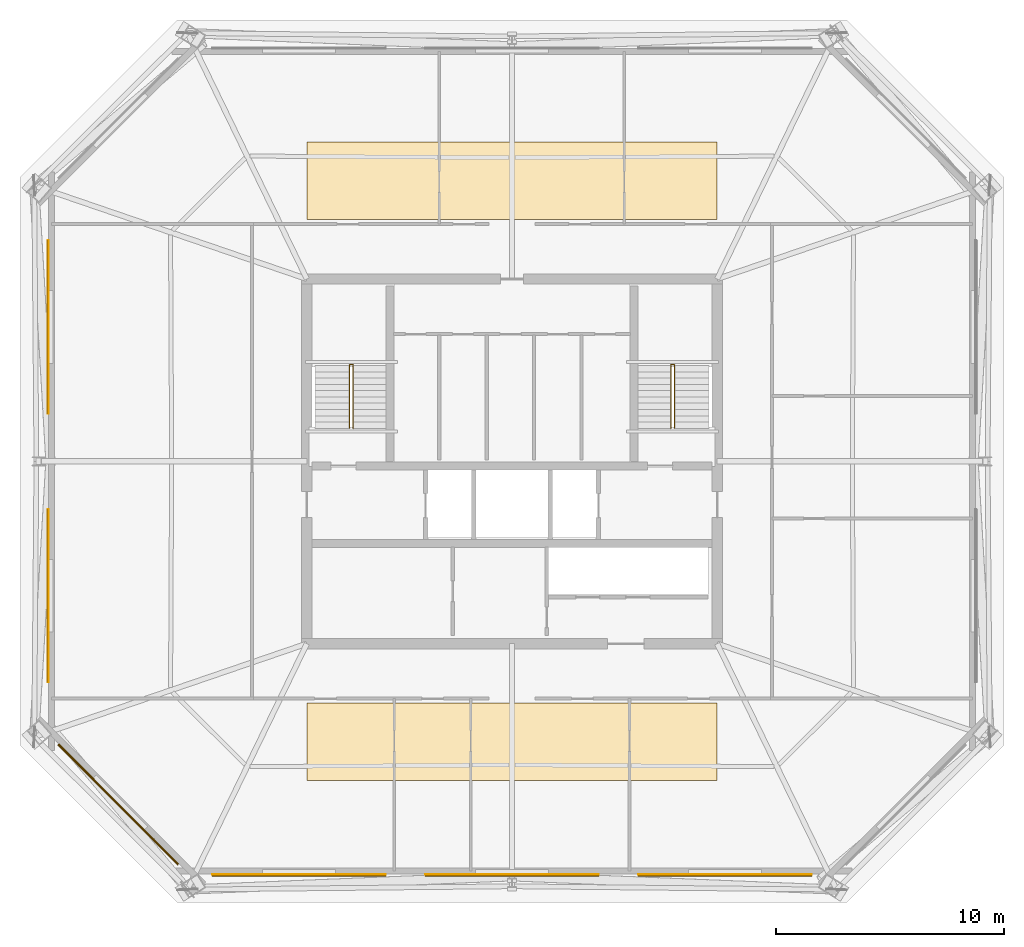
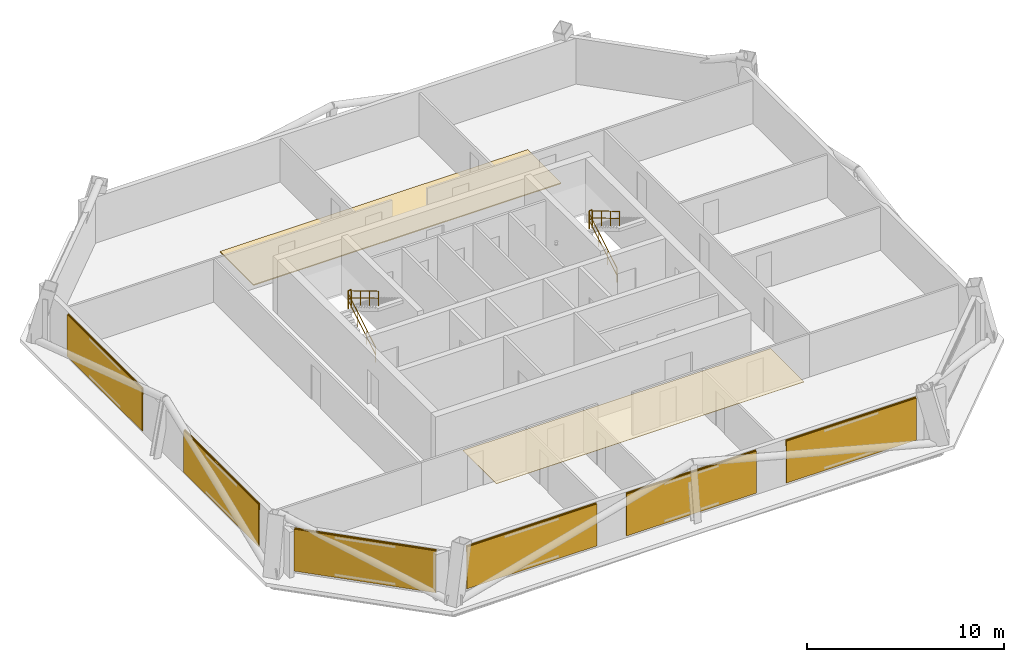
# One storey, part 5 of 6: 8 coverings, 6 railings, 6 shading devices.
"""IFC4 building model written with IfcOpenShell, lengths in metres."""

import ifcopenshell
import ifcopenshell.guid

model = None  # the IFC model being written
_history = None  # IfcOwnerHistory: only IFC2X3 demands one
_inside = {}  # id of a spatial element -> (the spatial element, [elements in it])
_under = {}  # id of a project, library or spatial element -> (it, [spatial elements below it])
_declared = {}  # id of a project -> (the project, [libraries it declares])
_typed = {}  # id of a type object -> (the type object, [elements of that type])
_made_of = {}  # id of a material, layer set ... -> (it, [elements and type objects made of it])


def new_model(schema):
    """Start an empty IFC model of exactly this schema.

    Asked for "IFC4X3", IfcOpenShell would pick the latest addendum, in which some entities
    have other attributes; the version numbers below select the first issue.
    IFC2X3 requires an IfcOwnerHistory on every rooted entity: one is made here for all.
    """
    global model, _history
    if schema == "IFC4X3":
        model = ifcopenshell.file(schema_version=(4, 3, 0, 0))
    else:
        model = ifcopenshell.file(schema=schema)
    _inside.clear()
    _under.clear()
    _declared.clear()
    _typed.clear()
    _made_of.clear()
    _history = None
    if model.schema == "IFC2X3":
        org = make("IfcOrganization", Name="unknown")
        user = make(
            "IfcPersonAndOrganization",
            ThePerson=make("IfcPerson", FamilyName="unknown"),
            TheOrganization=org,
        )
        app = make(
            "IfcApplication",
            ApplicationDeveloper=org,
            Version="unknown",
            ApplicationFullName="unknown",
            ApplicationIdentifier="unknown",
        )
        _history = make(
            "IfcOwnerHistory",
            OwningUser=user,
            OwningApplication=app,
            ChangeAction="ADDED",
            CreationDate=0,
        )
    return model


def make(cls, **values):
    """One entity of the class cls with the attributes given. An attribute that is None is left unset."""
    return model.create_entity(
        cls, **{name: value for name, value in values.items() if value is not None}
    )


def rooted(cls, **values):
    """An entity with a GlobalId (a new one), such as an element, a storey or a relation."""
    return make(cls, GlobalId=ifcopenshell.guid.new(), OwnerHistory=_history, **values)


def si_unit(unit_type, name, prefix=None):
    """IfcSIUnit, for example si_unit("LENGTHUNIT", "METRE", prefix="MILLI")."""
    return make("IfcSIUnit", UnitType=unit_type, Prefix=prefix, Name=name)


def assignment(units):
    """IfcUnitAssignment: the units of a project."""
    return None if units is None else make("IfcUnitAssignment", Units=units)


def point(xyz):
    """IfcCartesianPoint."""
    return None if xyz is None else make("IfcCartesianPoint", Coordinates=xyz)


def direction(xyz):
    """IfcDirection."""
    return None if xyz is None else make("IfcDirection", DirectionRatios=xyz)


def frame(location, z_axis=None, x_axis=None):
    """IfcAxis2Placement3D, a coordinate frame: its origin and axes. An axis left out is left unset."""
    return make(
        "IfcAxis2Placement3D",
        Location=point(location),
        Axis=direction(z_axis),
        RefDirection=direction(x_axis),
    )


def frame_2d(location, x_axis=None):
    """IfcAxis2Placement2D, a coordinate frame in the plane: its origin and x axis."""
    return make(
        "IfcAxis2Placement2D", Location=point(location), RefDirection=direction(x_axis)
    )


def origin():
    """The frame at (0, 0, 0) with its axes left unset."""
    return frame((0.0, 0.0, 0.0))


def origin_2d():
    """The frame at (0, 0) in the plane with its x axis left unset."""
    return frame_2d((0.0, 0.0))


def place(relative_to, where):
    """IfcLocalPlacement: puts the frame where relative to a parent placement (None: the world)."""
    return make(
        "IfcLocalPlacement", PlacementRelTo=relative_to, RelativePlacement=where
    )


def context(
    kind, dimensions, precision=None, world=None, true_north=None, identifier=None
):
    """IfcGeometricRepresentationContext, for example the 3D "Model" context."""
    return make(
        "IfcGeometricRepresentationContext",
        ContextIdentifier=identifier,
        ContextType=kind,
        CoordinateSpaceDimension=dimensions,
        Precision=precision,
        WorldCoordinateSystem=world,
        TrueNorth=true_north,
    )


def subcontext(parent, identifier, kind, view, scale=None):
    """IfcGeometricRepresentationSubContext, for example "Body" below "Model"."""
    return make(
        "IfcGeometricRepresentationSubContext",
        ContextIdentifier=identifier,
        ContextType=kind,
        ParentContext=parent,
        TargetScale=scale,
        TargetView=view,
    )


def project(units=None, contexts=None):
    """IfcProject with its units and contexts."""
    return rooted(
        "IfcProject",
        Name="project",
        RepresentationContexts=contexts,
        UnitsInContext=assignment(units),
    )


def spatial(cls, under=None, at=None, **own):
    """A site, building, storey or space (cls), placed at a placement, below another one or the project."""
    s = rooted(cls, ObjectPlacement=at, **own)
    if under is not None:
        _under.setdefault(under.id(), (under, []))[1].append(s)
    return s


def polyline(points):
    """IfcPolyline through the points."""
    return make("IfcPolyline", Points=[point(p) for p in points])


def profile(cls, at=None, kind="AREA", **sizes):
    """A parametric profile (cls). Its sizes go by their IFC names, for example OverallWidth=200.0."""
    return make(cls, ProfileType=kind, Position=at, **sizes)


def rectangle(**sizes):
    """IfcRectangleProfileDef."""
    return profile("IfcRectangleProfileDef", **sizes)


def circle(**sizes):
    """IfcCircleProfileDef."""
    return profile("IfcCircleProfileDef", **sizes)


def outline(outer, holes=None, kind="AREA"):
    """IfcArbitraryClosedProfileDef: a profile drawn as a closed curve; with holes, ...WithVoids."""
    if holes is None:
        return make("IfcArbitraryClosedProfileDef", ProfileType=kind, OuterCurve=outer)
    return make(
        "IfcArbitraryProfileDefWithVoids",
        ProfileType=kind,
        OuterCurve=outer,
        InnerCurves=holes,
    )


def extrude(swept, where, along, depth):
    """IfcExtrudedAreaSolid: the profile swept, set in the frame where, extruded along a direction by depth."""
    return make(
        "IfcExtrudedAreaSolid",
        SweptArea=swept,
        Position=where,
        ExtrudedDirection=direction(along),
        Depth=depth,
    )


def shape(context_of_items, identifier, shape_type, items):
    """IfcShapeRepresentation: the items that make up one representation, for example the "Body"."""
    return make(
        "IfcShapeRepresentation",
        ContextOfItems=context_of_items,
        RepresentationIdentifier=identifier,
        RepresentationType=shape_type,
        Items=items,
    )


def material(Name=None, Category=None):
    """IfcMaterial."""
    return make("IfcMaterial", Name=Name, Category=Category)


def layer(
    of_material, thickness, ventilated=None, Name=None, Category=None, Priority=None
):
    """IfcMaterialLayer: one layer of a wall or slab, of a material (None: an air gap)."""
    return make(
        "IfcMaterialLayer",
        Material=of_material,
        LayerThickness=thickness,
        IsVentilated=ventilated,
        Name=Name,
        Category=Category,
        Priority=Priority,
    )


def layer_set(layers, Name=None):
    """IfcMaterialLayerSet."""
    return make("IfcMaterialLayerSet", MaterialLayers=layers, LayerSetName=Name)


def made_of(thing, what):
    """Note that an element or type object is made of a material, layer set ...; save() writes the relation."""
    if what is not None:
        _made_of.setdefault(what.id(), (what, []))[1].append(thing)
    return thing


def type_object(cls, material=None, **own):
    """A type object (cls), such as IfcWallType, which elements share."""
    return made_of(rooted(cls, **own), material)


def element(
    cls,
    number,
    at=None,
    inside=None,
    cuts=None,
    type_object=None,
    material=None,
    context=None,
    identifier="Body",
    shape_type=None,
    held_by="IfcProductDefinitionShape",
    body=None,
    shapes=None,
    **own,
):
    """One element of the class cls, such as IfcWall. Its Tag is "e" and its number.

    at: its placement. inside: the storey or other place that contains it. cuts: it is an
    opening in that element (IfcRelVoidsElement). A single representation is given by context,
    identifier, shape_type and body (its items); several are given by shapes. held_by: the class
    of the entity that holds the representations. save() writes the other relations.
    """
    e = rooted(cls, Tag="e%d" % number, ObjectPlacement=at, **own)
    if body is not None:
        shapes = [shape(context, identifier, shape_type, body)]
    if shapes is not None:
        e.Representation = make(held_by, Representations=shapes)
    if inside is not None:
        _inside.setdefault(inside.id(), (inside, []))[1].append(e)
    if cuts is not None:
        rooted(
            "IfcRelVoidsElement", RelatingBuildingElement=cuts, RelatedOpeningElement=e
        )
    if type_object is not None:
        _typed.setdefault(type_object.id(), (type_object, []))[1].append(e)
    return made_of(e, material)


def aggregate(whole, parts):
    """IfcRelAggregates: a whole, such as a stair, and the parts it consists of."""
    return rooted("IfcRelAggregates", RelatingObject=whole, RelatedObjects=parts)


def save(model, path):
    """Write the relations noted so far, then the file.

    IfcRelAggregates (storeys below a building ...), IfcRelContainedInSpatialStructure (elements
    in a storey), IfcRelDefinesByType, IfcRelAssociatesMaterial and IfcRelDeclares: one each for
    every whole, place, type object, material and project.
    """
    for whole, parts in _under.values():
        aggregate(whole, parts)
    for where, things in _inside.values():
        rooted(
            "IfcRelContainedInSpatialStructure",
            RelatedElements=things,
            RelatingStructure=where,
        )
    for kind, things in _typed.values():
        rooted("IfcRelDefinesByType", RelatedObjects=things, RelatingType=kind)
    for what, things in _made_of.values():
        rooted("IfcRelAssociatesMaterial", RelatedObjects=things, RelatingMaterial=what)
    for by, libraries in _declared.values():
        rooted("IfcRelDeclares", RelatingContext=by, RelatedDefinitions=libraries)
    model.write(path)


model = new_model("IFC4")

# Units and contexts
model_context = context("Model", 3, precision=1e-05, world=origin(), true_north=direction((0.0, 1.0)))
body_context = subcontext(model_context, "Body", "Model", "MODEL_VIEW")
ifc_project = project(units=[si_unit("LENGTHUNIT", "METRE"), si_unit("AREAUNIT", "SQUARE_METRE"), si_unit("VOLUMEUNIT", "CUBIC_METRE"), si_unit("PLANEANGLEUNIT", "RADIAN"), si_unit("MASSUNIT", "GRAM", prefix="KILO")], contexts=[model_context])

# Site, building, storey
site_placement = place(None, origin())
site = spatial("IfcSite", under=ifc_project, at=site_placement, CompositionType="ELEMENT")
building_placement = place(site_placement, origin())
building = spatial("IfcBuilding", under=site, at=building_placement, Name="Caelvoria Tower", CompositionType="ELEMENT")
storey_placement = place(building_placement, frame((0.0, 0.0, 216.60009765625)))
storey = spatial("IfcBuildingStorey", under=building, at=storey_placement, Name="L57", CompositionType="ELEMENT", Elevation=216.60009765625)

# Coverings
ifc_material_1 = material(Name="Acoustic Mineral Fibre Tile", Category="gypsum")
ifc_layer_1 = layer(ifc_material_1, 0.02490234375, Name="Acoustic Mineral Fibre Tile")
ifc_layer_set_1 = layer_set([ifc_layer_1], Name="Mineral-Fibre Acoustic Suspended Ceiling 25 - Acoustic Mineral Fibre Tile")
covering_type_1 = type_object("IfcCoveringType", Name="Mineral-Fibre Acoustic Suspended Ceiling 25", PredefinedType="CEILING", material=ifc_layer_set_1)
covering_1_placement = place(storey_placement, frame((0.0, 0.0, 2.64990234375)))
element("IfcCovering", 1, at=covering_1_placement, inside=storey, type_object=covering_type_1, Name="Suspended Acoustic Ceiling L57", PredefinedType="CEILING", context=body_context, shape_type="SweptSolid", body=[
    extrude(outline(polyline([(37.0, 18.0), (55.0, 18.0), (55.0, 21.39990234375), (37.0, 21.39990234375), (37.0, 18.0)])), origin(), (0.0, 0.0, 1.0), 0.02490234375),
])
ifc_material_2 = material(Name="Perforated Architectural Bronze Cladding Screen", Category="bronze")
ifc_layer_2 = layer(ifc_material_2, 0.0400390625, Name="Perforated Architectural Bronze Cladding Screen")
ifc_layer_set_2 = layer_set([ifc_layer_2], Name="Perforated Bronze Louvre Cladding Band 40 - Perforated Architectural Bronze Cladding Screen")
covering_type_2 = type_object("IfcCoveringType", Name="Perforated Bronze Louvre Cladding Band 40", PredefinedType="CLADDING", material=ifc_layer_set_2)
for number, where, z_axis, x_axis, name in (
    (2, (36.655029296875, 13.871826171875, 2.411865234375), (0.0, 0.0, 1.0), (1.0, 0.0, 0.0), "Perforated Bronze Screen Band L57-E0-00"),
    (3, (46.0, 13.871826171875, 2.411865234375), (0.0, 0.0, 1.0), (1.0, 0.0, 0.0), "Perforated Bronze Screen Band L57-E0-01"),
    (4, (55.344970703125, 13.871826171875, 2.411865234375), (0.0, 0.0, 1.0), (1.0, 0.0, 0.0), "Perforated Bronze Screen Band L57-E0-02"),
    (5, (25.649169921875, 37.897216796875, 2.411865234375), (0.0, 0.0, 1.0), (0.0, -1.0, 0.0), "Perforated Bronze Screen Band L57-E6-00"),
    (6, (25.649169921875, 26.102783203125, 2.411865234375), (0.0, 0.0, 1.0), (0.0, -1.0, 0.0), "Perforated Bronze Screen Band L57-E6-01"),
):
    element("IfcCovering", number, at=place(storey_placement, frame(where, z_axis=z_axis, x_axis=x_axis)), inside=storey, type_object=covering_type_2, Name=name, PredefinedType="CLADDING", context=body_context, shape_type="SweptSolid", body=[
        extrude(rectangle(XDim=7.60009765625, YDim=0.0400390625, at=origin_2d()), origin(), (0.0, 0.0, 1.0), 0.39990234375),
    ])
covering_2_placement = place(storey_placement, frame((28.74169921875, 16.964599609375, 2.411865234375), z_axis=(0.0, 0.0, 1.0), x_axis=(0.707106781187, -0.707106781187, 0.0)))
element("IfcCovering", 7, at=covering_2_placement, inside=storey, type_object=covering_type_2, Name="Perforated Bronze Screen Band L57-E7-00", PredefinedType="CLADDING", context=body_context, shape_type="SweptSolid", body=[
    extrude(rectangle(XDim=7.436767578125, YDim=0.0400390625, at=origin_2d()), origin(), (0.0, 0.0, 1.0), 0.39990234375),
])

# Shading devices
ifc_material_3 = material(Name="Perforated Architectural Bronze Alloy Panel", Category="bronze")
ifc_layer_3 = layer(ifc_material_3, 0.044921875, Name="Perforated Architectural Bronze Alloy Panel")
ifc_layer_set_3 = layer_set([ifc_layer_3], Name="Perforated Bronze Solar Screen Panel SCREEN - Perforated Architectural Bronze Alloy Panel")
shading_device_type = type_object("IfcShadingDeviceType", Name="Perforated Bronze Solar Screen Panel SCREEN", PredefinedType="USERDEFINED", material=ifc_layer_set_3)
for number, where, z_axis, x_axis, name in (
    (8, (36.655029296875, 13.828857421875, 0.15966796875), (0.0, 0.0, 1.0), (1.0, 0.0, 0.0), "Perforated Bronze Solar Screen L57-E0-00"),
    (9, (46.0, 13.828857421875, 0.15966796875), (0.0, 0.0, 1.0), (1.0, 0.0, 0.0), "Perforated Bronze Solar Screen L57-E0-01"),
    (10, (55.344970703125, 13.828857421875, 0.15966796875), (0.0, 0.0, 1.0), (1.0, 0.0, 0.0), "Perforated Bronze Solar Screen L57-E0-02"),
    (11, (25.606201171875, 37.897216796875, 0.15966796875), (0.0, 0.0, 1.0), (0.0, -1.0, 0.0), "Perforated Bronze Solar Screen L57-E6-00"),
    (12, (25.606201171875, 26.102783203125, 0.15966796875), (0.0, 0.0, 1.0), (0.0, -1.0, 0.0), "Perforated Bronze Solar Screen L57-E6-01"),
):
    element("IfcShadingDevice", number, at=place(storey_placement, frame(where, z_axis=z_axis, x_axis=x_axis)), inside=storey, type_object=shading_device_type, Name=name, ObjectType="SCREEN", PredefinedType="USERDEFINED", context=body_context, shape_type="SweptSolid", body=[
        extrude(rectangle(XDim=7.60009765625, YDim=0.044921875, at=origin_2d()), origin(), (0.0, 0.0, 1.0), 2.592041015625),
    ])
shading_device_placement = place(storey_placement, frame((28.71142578125, 16.93408203125, 0.15966796875), z_axis=(0.0, 0.0, 1.0), x_axis=(0.707106781187, -0.707106781187, 0.0)))
element("IfcShadingDevice", 13, at=shading_device_placement, inside=storey, type_object=shading_device_type, Name="Perforated Bronze Solar Screen L57-E7-00", ObjectType="SCREEN", PredefinedType="USERDEFINED", context=body_context, shape_type="SweptSolid", body=[
    extrude(rectangle(XDim=7.436767578125, YDim=0.044921875, at=origin_2d()), origin(), (0.0, 0.0, 1.0), 2.592041015625),
])

# Covering
ifc_material_4 = material(Name="Calcium-Sulphate Raised Floor Tile", Category="gypsum")
ifc_layer_4 = layer(ifc_material_4, 0.06005859375, Name="Calcium-Sulphate Raised Floor Tile")
ifc_layer_set_4 = layer_set([ifc_layer_4], Name="Raised Access Office Floor System 120 - Calcium-Sulphate Raised Floor Tile")
covering_type_3 = type_object("IfcCoveringType", Name="Raised Access Office Floor System 120", PredefinedType="FLOORING", material=ifc_layer_set_4)
covering_3_placement = place(storey_placement, origin())
element("IfcCovering", 14, at=covering_3_placement, inside=storey, type_object=covering_type_3, Name="Raised Access Flooring L57", PredefinedType="FLOORING", context=body_context, shape_type="SweptSolid", body=[
    extrude(outline(polyline([(37.0, 42.60009765625), (55.0, 42.60009765625), (55.0, 46.0), (37.0, 46.0), (37.0, 42.60009765625)])), origin(), (0.0, 0.0, 1.0), 0.059814453125),
])

# Railings
ifc_material_5 = material(Name="Brushed Stainless Steel Tube", Category="steel")
railing_type_1 = type_object("IfcRailingType", Name="Stair Tubular Stainless Handrail 920", PredefinedType="HANDRAIL", material=ifc_material_5)
railing_1_placement = place(storey_placement, frame((38.8701171875, 33.449951171875, 0.16357421875)))
element("IfcRailing", 15, at=railing_1_placement, inside=storey, type_object=railing_type_1, Name="ST-01 Flight 1 Handrail L57", PredefinedType="HANDRAIL", context=body_context, shape_type="SweptSolid", body=[
    extrude(circle(Radius=0.02392578125, at=origin_2d()), frame((0.0, 0.0, 0.89599609375), z_axis=(0.0, 0.859385484447, 0.511328259656), x_axis=(-1.0, 0.0, 0.0)), (0.0, 0.0, 1.0), 3.199951171875),
    extrude(circle(Radius=0.02392578125, at=origin_2d()), frame((0.0, 0.0, 0.4599609375), z_axis=(0.0, 0.859385484447, 0.511328259656), x_axis=(-1.0, 0.0, 0.0)), (0.0, 0.0, 1.0), 3.199951171875),
    extrude(circle(Radius=0.02099609375, at=origin_2d()), origin(), (0.0, 0.0, 1.0), 0.871826171875),
    extrude(circle(Radius=0.02099609375, at=origin_2d()), frame((0.0, 0.916748046875, 0.54541015625)), (0.0, 0.0, 1.0), 0.871826171875),
    extrude(circle(Radius=0.02099609375, at=origin_2d()), frame((0.0, 1.833251953125, 1.0908203125)), (0.0, 0.0, 1.0), 0.871826171875),
    extrude(circle(Radius=0.02099609375, at=origin_2d()), frame((0.0, 2.75, 1.63623046875)), (0.0, 0.0, 1.0), 0.871826171875),
])
railing_2_placement = place(storey_placement, frame((39.030029296875, 36.199951171875, 1.963623046875)))
element("IfcRailing", 16, at=railing_2_placement, inside=storey, type_object=railing_type_1, Name="ST-01 Flight 2 Handrail L57", PredefinedType="HANDRAIL", context=body_context, shape_type="SweptSolid", body=[
    extrude(circle(Radius=0.02392578125, at=origin_2d()), frame((0.0, 0.0, 0.89599609375), z_axis=(0.0, -0.859385484447, 0.511328259656), x_axis=(1.0, 0.0, 0.0)), (0.0, 0.0, 1.0), 3.199951171875),
    extrude(circle(Radius=0.02392578125, at=origin_2d()), frame((0.0, 0.0, 0.4599609375), z_axis=(0.0, -0.859385484447, 0.511328259656), x_axis=(1.0, 0.0, 0.0)), (0.0, 0.0, 1.0), 3.199951171875),
    extrude(circle(Radius=0.02099609375, at=origin_2d()), origin(), (0.0, 0.0, 1.0), 0.871826171875),
    extrude(circle(Radius=0.02099609375, at=origin_2d()), frame((0.0, -0.916748046875, 0.54541015625)), (0.0, 0.0, 1.0), 0.871826171875),
    extrude(circle(Radius=0.02099609375, at=origin_2d()), frame((0.0, -1.833251953125, 1.0908203125)), (0.0, 0.0, 1.0), 0.871826171875),
    extrude(circle(Radius=0.02099609375, at=origin_2d()), frame((0.0, -2.75, 1.63623046875)), (0.0, 0.0, 1.0), 0.871826171875),
])
railing_3_placement = place(storey_placement, frame((52.969970703125, 33.449951171875, 0.16357421875)))
element("IfcRailing", 17, at=railing_3_placement, inside=storey, type_object=railing_type_1, Name="ST-02 Flight 1 Handrail L57", PredefinedType="HANDRAIL", context=body_context, shape_type="SweptSolid", body=[
    extrude(circle(Radius=0.02392578125, at=origin_2d()), frame((0.0, 0.0, 0.89599609375), z_axis=(0.0, 0.859385484447, 0.511328259656), x_axis=(-1.0, 0.0, 0.0)), (0.0, 0.0, 1.0), 3.199951171875),
    extrude(circle(Radius=0.02392578125, at=origin_2d()), frame((0.0, 0.0, 0.4599609375), z_axis=(0.0, 0.859385484447, 0.511328259656), x_axis=(-1.0, 0.0, 0.0)), (0.0, 0.0, 1.0), 3.199951171875),
    extrude(circle(Radius=0.02099609375, at=origin_2d()), origin(), (0.0, 0.0, 1.0), 0.871826171875),
    extrude(circle(Radius=0.02099609375, at=origin_2d()), frame((0.0, 0.916748046875, 0.54541015625)), (0.0, 0.0, 1.0), 0.871826171875),
    extrude(circle(Radius=0.02099609375, at=origin_2d()), frame((0.0, 1.833251953125, 1.0908203125)), (0.0, 0.0, 1.0), 0.871826171875),
    extrude(circle(Radius=0.02099609375, at=origin_2d()), frame((0.0, 2.75, 1.63623046875)), (0.0, 0.0, 1.0), 0.871826171875),
])
railing_4_placement = place(storey_placement, frame((53.1298828125, 36.199951171875, 1.963623046875)))
element("IfcRailing", 18, at=railing_4_placement, inside=storey, type_object=railing_type_1, Name="ST-02 Flight 2 Handrail L57", PredefinedType="HANDRAIL", context=body_context, shape_type="SweptSolid", body=[
    extrude(circle(Radius=0.02392578125, at=origin_2d()), frame((0.0, 0.0, 0.89599609375), z_axis=(0.0, -0.859385484447, 0.511328259656), x_axis=(1.0, 0.0, 0.0)), (0.0, 0.0, 1.0), 3.199951171875),
    extrude(circle(Radius=0.02392578125, at=origin_2d()), frame((0.0, 0.0, 0.4599609375), z_axis=(0.0, -0.859385484447, 0.511328259656), x_axis=(1.0, 0.0, 0.0)), (0.0, 0.0, 1.0), 3.199951171875),
    extrude(circle(Radius=0.02099609375, at=origin_2d()), origin(), (0.0, 0.0, 1.0), 0.871826171875),
    extrude(circle(Radius=0.02099609375, at=origin_2d()), frame((0.0, -0.916748046875, 0.54541015625)), (0.0, 0.0, 1.0), 0.871826171875),
    extrude(circle(Radius=0.02099609375, at=origin_2d()), frame((0.0, -1.833251953125, 1.0908203125)), (0.0, 0.0, 1.0), 0.871826171875),
    extrude(circle(Radius=0.02099609375, at=origin_2d()), frame((0.0, -2.75, 1.63623046875)), (0.0, 0.0, 1.0), 0.871826171875),
])
ifc_material_6 = material(Name="Brushed Stainless Steel Guardrail", Category="steel")
railing_type_2 = type_object("IfcRailingType", Name="Stair Well and Ramp Guardrail 1120", PredefinedType="GUARDRAIL", material=ifc_material_6)
for number, where, name in (
    (19, (38.8701171875, 36.239990234375, 1.7998046875), "ST-01 Half-Landing Well Guard L57"),
    (20, (52.969970703125, 36.239990234375, 1.7998046875), "ST-02 Half-Landing Well Guard L57"),
):
    element("IfcRailing", number, at=place(storey_placement, frame(where)), inside=storey, type_object=railing_type_2, Name=name, PredefinedType="GUARDRAIL", context=body_context, shape_type="SweptSolid", body=[
        extrude(circle(Radius=0.02392578125, at=origin_2d()), frame((0.0, 0.0, 1.09619140625), z_axis=(1.0, 0.0, 0.0), x_axis=(0.0, 1.0, 0.0)), (0.0, 0.0, 1.0), 0.159912109375),
        extrude(circle(Radius=0.02392578125, at=origin_2d()), frame((0.0, 0.0, 0.56005859375), z_axis=(1.0, 0.0, 0.0), x_axis=(0.0, 1.0, 0.0)), (0.0, 0.0, 1.0), 0.159912109375),
        extrude(circle(Radius=0.02099609375, at=origin_2d()), origin(), (0.0, 0.0, 1.0), 1.072021484375),
        extrude(circle(Radius=0.02099609375, at=origin_2d()), frame((0.159912109375, 0.0, 0.0)), (0.0, 0.0, 1.0), 1.072021484375),
    ])

save(model, "model.ifc")
